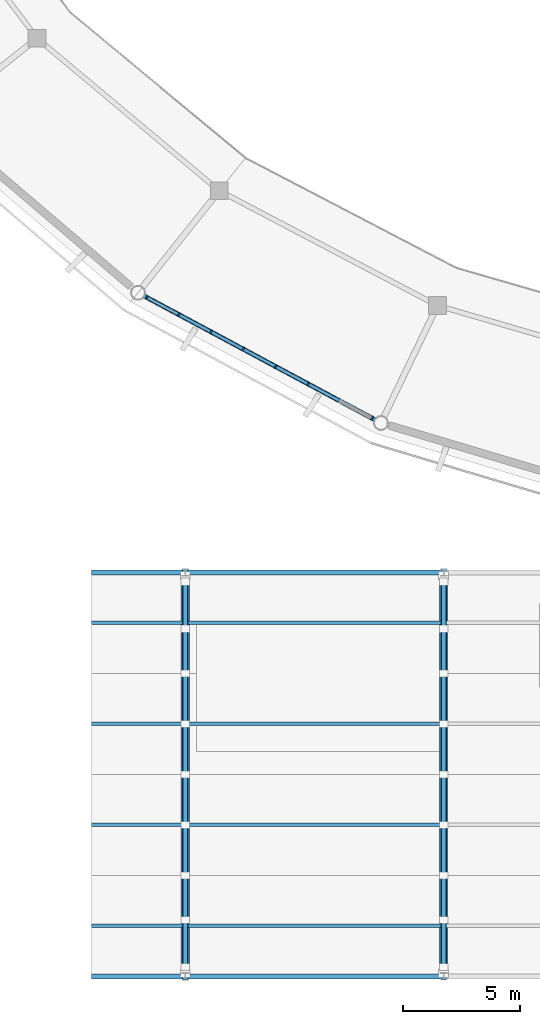
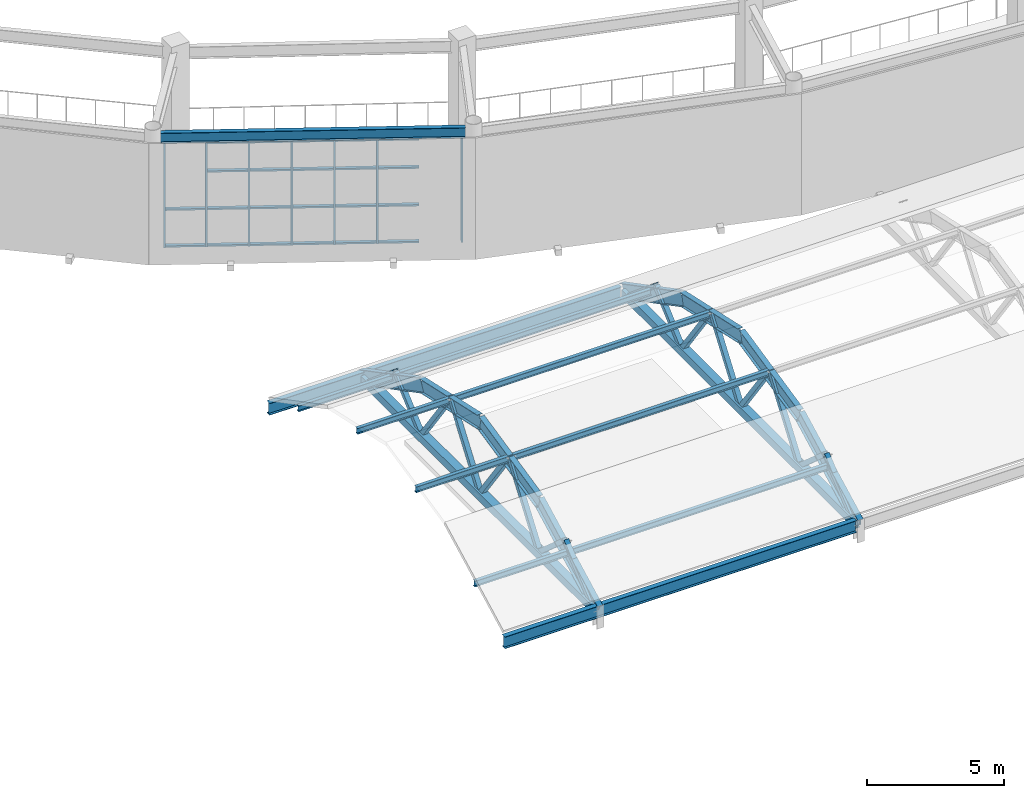
# One storey, part 12 of 70: 51 members, 11 beams, 1 element without a shape of its own.
"""IFC4 building model written with IfcOpenShell, lengths in metres."""

from ifc_helpers import new_model, si_unit, direction, frame, origin, origin_2d, place, context, subcontext, project, spatial, rectangle, hollow_rectangle, i_section, extrude, material, material_profile, profile_set, type_object, element, aggregate, save


model = new_model("IFC4")

# Units and contexts
model_context = context("Model", 3, precision=1e-05, world=origin(), true_north=direction((0.0, 1.0)))
body_context = subcontext(model_context, "Body", "Model", "MODEL_VIEW")
ifc_project = project(units=[si_unit("LENGTHUNIT", "METRE"), si_unit("AREAUNIT", "SQUARE_METRE"), si_unit("VOLUMEUNIT", "CUBIC_METRE"), si_unit("PLANEANGLEUNIT", "RADIAN"), si_unit("MASSUNIT", "GRAM", prefix="KILO")], contexts=[model_context])

# Site, building, storey
site_placement = place(None, origin())
site = spatial("IfcSite", under=ifc_project, at=site_placement, CompositionType="ELEMENT")
building_placement = place(site_placement, origin())
building = spatial("IfcBuilding", under=site, at=building_placement, Name="Cuetzalor Civic Arena", CompositionType="ELEMENT")
storey_placement = place(building_placement, frame((0.0, 0.0, 21.0)))
storey = spatial("IfcBuildingStorey", under=building, at=storey_placement, Name="L04", CompositionType="ELEMENT", Elevation=21.0)

# Curtain wall, members
ifc_material_1 = material(Name="Anodised dark bronze aluminium and low-E solar glass", Category="aluminium")
curtain_wall_type = type_object("IfcCurtainWallType", Name="UnitisedCW_10950x4650", PredefinedType="USERDEFINED", material=ifc_material_1)
curtain_wall_placement = place(storey_placement, origin())
curtain_wall = element("IfcCurtainWall", 1, at=curtain_wall_placement, inside=storey, type_object=curtain_wall_type, Name="Drum Triangle Foyer Curtain Wall L04-064", ObjectType="UNITISED CURTAIN WALL", PredefinedType="USERDEFINED")
ifc_material_2 = material(Name="Anodised dark bronze aluminium", Category="aluminium")
ifc_material_profile_1 = material_profile(ifc_material_2, rectangle(XDim=0.070068359375, YDim=0.179931640625, at=origin_2d()), Name="ALU MULLION 70x180")
ifc_profile_set_1 = profile_set([ifc_material_profile_1], Name="Anodised dark bronze aluminium")
member_type_1 = type_object("IfcMemberType", Name="CurtainWallMullion_65x180", PredefinedType="MULLION", material=ifc_profile_set_1)
member_1_placement = place(storey_placement, frame((-24.04736328125, -41.737060546875, 0.0), z_axis=(0.0, 0.0, 1.0), x_axis=(-0.881306344124, 0.472545371163, 0.0)))
member_1 = element("IfcMember", 2, at=member_1_placement, type_object=member_type_1, Name="CW-07 mullion 1", PredefinedType="MULLION", context=body_context, shape_type="SweptSolid", body=[
    extrude(rectangle(XDim=0.070068359375, YDim=0.179931640625, at=origin_2d()), origin(), (0.0, 0.0, 1.0), 4.653076171875),
])
member_2_placement = place(storey_placement, frame((-26.772705078125, -40.275634765625, 0.0), z_axis=(0.0, 0.0, 1.0), x_axis=(-0.881306344124, 0.472545371163, 0.0)))
member_2 = element("IfcMember", 3, at=member_2_placement, type_object=member_type_1, Name="CW-07 mullion 3", PredefinedType="MULLION", context=body_context, shape_type="SweptSolid", body=[
    extrude(rectangle(XDim=0.070068359375, YDim=0.179931640625, at=origin_2d()), origin(), (0.0, 0.0, 1.0), 4.653076171875),
])
member_3_placement = place(storey_placement, frame((-28.15087890625, -39.53662109375, 0.0), z_axis=(0.0, 0.0, 1.0), x_axis=(-0.881306344124, 0.472545371163, 0.0)))
member_3 = element("IfcMember", 4, at=member_3_placement, type_object=member_type_1, Name="CW-07 mullion 4", PredefinedType="MULLION", context=body_context, shape_type="SweptSolid", body=[
    extrude(rectangle(XDim=0.070068359375, YDim=0.179931640625, at=origin_2d()), origin(), (0.0, 0.0, 1.0), 4.653076171875),
])
member_4_placement = place(storey_placement, frame((-29.529052734375, -38.797607421875, 0.0), z_axis=(0.0, 0.0, 1.0), x_axis=(-0.881306344124, 0.472545371163, 0.0)))
member_4 = element("IfcMember", 5, at=member_4_placement, type_object=member_type_1, Name="CW-07 mullion 5", PredefinedType="MULLION", context=body_context, shape_type="SweptSolid", body=[
    extrude(rectangle(XDim=0.070068359375, YDim=0.179931640625, at=origin_2d()), origin(), (0.0, 0.0, 1.0), 4.653076171875),
])
member_5_placement = place(storey_placement, frame((-30.9072265625, -38.058837890625, 0.0), z_axis=(0.0, 0.0, 1.0), x_axis=(-0.881306344124, 0.472545371163, 0.0)))
member_5 = element("IfcMember", 6, at=member_5_placement, type_object=member_type_1, Name="CW-07 mullion 6", PredefinedType="MULLION", context=body_context, shape_type="SweptSolid", body=[
    extrude(rectangle(XDim=0.070068359375, YDim=0.179931640625, at=origin_2d()), origin(), (0.0, 0.0, 1.0), 4.653076171875),
])
member_6_placement = place(storey_placement, frame((-32.28515625, -37.31982421875, 0.0), z_axis=(0.0, 0.0, 1.0), x_axis=(-0.881306344124, 0.472545371163, 0.0)))
member_6 = element("IfcMember", 7, at=member_6_placement, type_object=member_type_1, Name="CW-07 mullion 7", PredefinedType="MULLION", context=body_context, shape_type="SweptSolid", body=[
    extrude(rectangle(XDim=0.070068359375, YDim=0.179931640625, at=origin_2d()), origin(), (0.0, 0.0, 1.0), 4.653076171875),
])
member_7_placement = place(storey_placement, frame((-33.632568359375, -36.597412109375, 0.0), z_axis=(0.0, 0.0, 1.0), x_axis=(-0.881306344124, 0.472545371163, 0.0)))
member_7 = element("IfcMember", 8, at=member_7_placement, type_object=member_type_1, Name="CW-07 mullion 8", PredefinedType="MULLION", context=body_context, shape_type="SweptSolid", body=[
    extrude(rectangle(XDim=0.070068359375, YDim=0.179931640625, at=origin_2d()), origin(), (0.0, 0.0, 1.0), 4.653076171875),
])
ifc_material_3 = material(Name="Anodised dark bronze aluminium", Category="aluminium")
ifc_material_profile_2 = material_profile(ifc_material_3, rectangle(XDim=0.139892578125, YDim=0.070068359375, at=origin_2d()), Name="ALU TRANSOM 70x140")
ifc_profile_set_2 = profile_set([ifc_material_profile_2], Name="Anodised dark bronze aluminium")
member_type_2 = type_object("IfcMemberType", Name="CurtainWallTransom_65x140", PredefinedType="USERDEFINED", material=ifc_profile_set_2)
member_8_placement = place(storey_placement, frame((-25.42529296875, -40.998046875, 0.034912109375), z_axis=(-0.881351173238, 0.472461754465, 0.0), x_axis=(-0.472461754465, -0.881351173238, 0.0)))
member_8 = element("IfcMember", 9, at=member_8_placement, type_object=member_type_2, Name="CW-07 transom 2.1", ObjectType="TRANSOM", PredefinedType="USERDEFINED", context=body_context, shape_type="SweptSolid", body=[
    extrude(rectangle(XDim=0.139892578125, YDim=0.070068359375, at=origin_2d()), origin(), (0.0, 0.0, 1.0), 1.493896484375),
])
member_9_placement = place(storey_placement, frame((-25.42529296875, -40.998046875, 1.675048828125), z_axis=(-0.881351173238, 0.472461754465, 0.0), x_axis=(-0.472461754465, -0.881351173238, 0.0)))
member_9 = element("IfcMember", 10, at=member_9_placement, type_object=member_type_2, Name="CW-07 transom 2.2", ObjectType="TRANSOM", PredefinedType="USERDEFINED", context=body_context, shape_type="SweptSolid", body=[
    extrude(rectangle(XDim=0.139892578125, YDim=0.070068359375, at=origin_2d()), origin(), (0.0, 0.0, 1.0), 1.493896484375),
])
member_10_placement = place(storey_placement, frame((-25.42529296875, -40.998046875, 3.35009765625), z_axis=(-0.881351173238, 0.472461754465, 0.0), x_axis=(-0.472461754465, -0.881351173238, 0.0)))
member_10 = element("IfcMember", 11, at=member_10_placement, type_object=member_type_2, Name="CW-07 transom 2.3", ObjectType="TRANSOM", PredefinedType="USERDEFINED", context=body_context, shape_type="SweptSolid", body=[
    extrude(rectangle(XDim=0.139892578125, YDim=0.070068359375, at=origin_2d()), origin(), (0.0, 0.0, 1.0), 1.493896484375),
])
member_11_placement = place(storey_placement, frame((-25.42529296875, -40.998046875, 4.617919921875), z_axis=(-0.881351173238, 0.472461754465, 0.0), x_axis=(-0.472461754465, -0.881351173238, 0.0)))
member_11 = element("IfcMember", 12, at=member_11_placement, type_object=member_type_2, Name="CW-07 transom 2.4", ObjectType="TRANSOM", PredefinedType="USERDEFINED", context=body_context, shape_type="SweptSolid", body=[
    extrude(rectangle(XDim=0.139892578125, YDim=0.070068359375, at=origin_2d()), origin(), (0.0, 0.0, 1.0), 1.493896484375),
])
member_12_placement = place(storey_placement, frame((-26.803466796875, -40.259033203125, 0.034912109375), z_axis=(-0.881314685602, 0.472529813812, 0.0), x_axis=(-0.472529813812, -0.881314685602, 0.0)))
member_12 = element("IfcMember", 13, at=member_12_placement, type_object=member_type_2, Name="CW-07 transom 3.1", ObjectType="TRANSOM", PredefinedType="USERDEFINED", context=body_context, shape_type="SweptSolid", body=[
    extrude(rectangle(XDim=0.139892578125, YDim=0.070068359375, at=origin_2d()), origin(), (0.0, 0.0, 1.0), 1.49365234375),
])
member_13_placement = place(storey_placement, frame((-26.803466796875, -40.259033203125, 1.675048828125), z_axis=(-0.881314685602, 0.472529813812, 0.0), x_axis=(-0.472529813812, -0.881314685602, 0.0)))
member_13 = element("IfcMember", 14, at=member_13_placement, type_object=member_type_2, Name="CW-07 transom 3.2", ObjectType="TRANSOM", PredefinedType="USERDEFINED", context=body_context, shape_type="SweptSolid", body=[
    extrude(rectangle(XDim=0.139892578125, YDim=0.070068359375, at=origin_2d()), origin(), (0.0, 0.0, 1.0), 1.49365234375),
])
member_14_placement = place(storey_placement, frame((-26.803466796875, -40.259033203125, 3.35009765625), z_axis=(-0.881314685602, 0.472529813812, 0.0), x_axis=(-0.472529813812, -0.881314685602, 0.0)))
member_14 = element("IfcMember", 15, at=member_14_placement, type_object=member_type_2, Name="CW-07 transom 3.3", ObjectType="TRANSOM", PredefinedType="USERDEFINED", context=body_context, shape_type="SweptSolid", body=[
    extrude(rectangle(XDim=0.139892578125, YDim=0.070068359375, at=origin_2d()), origin(), (0.0, 0.0, 1.0), 1.49365234375),
])
member_15_placement = place(storey_placement, frame((-26.803466796875, -40.259033203125, 4.617919921875), z_axis=(-0.881314685602, 0.472529813812, 0.0), x_axis=(-0.472529813812, -0.881314685602, 0.0)))
member_15 = element("IfcMember", 16, at=member_15_placement, type_object=member_type_2, Name="CW-07 transom 3.4", ObjectType="TRANSOM", PredefinedType="USERDEFINED", context=body_context, shape_type="SweptSolid", body=[
    extrude(rectangle(XDim=0.139892578125, YDim=0.070068359375, at=origin_2d()), origin(), (0.0, 0.0, 1.0), 1.49365234375),
])
member_16_placement = place(storey_placement, frame((-28.181640625, -39.52001953125, 0.034912109375), z_axis=(-0.881314685602, 0.472529813812, 0.0), x_axis=(-0.472529813812, -0.881314685602, 0.0)))
member_16 = element("IfcMember", 17, at=member_16_placement, type_object=member_type_2, Name="CW-07 transom 4.1", ObjectType="TRANSOM", PredefinedType="USERDEFINED", context=body_context, shape_type="SweptSolid", body=[
    extrude(rectangle(XDim=0.139892578125, YDim=0.070068359375, at=origin_2d()), origin(), (0.0, 0.0, 1.0), 1.49365234375),
])
member_17_placement = place(storey_placement, frame((-28.181640625, -39.52001953125, 1.675048828125), z_axis=(-0.881314685602, 0.472529813812, 0.0), x_axis=(-0.472529813812, -0.881314685602, 0.0)))
member_17 = element("IfcMember", 18, at=member_17_placement, type_object=member_type_2, Name="CW-07 transom 4.2", ObjectType="TRANSOM", PredefinedType="USERDEFINED", context=body_context, shape_type="SweptSolid", body=[
    extrude(rectangle(XDim=0.139892578125, YDim=0.070068359375, at=origin_2d()), origin(), (0.0, 0.0, 1.0), 1.49365234375),
])
member_18_placement = place(storey_placement, frame((-28.181640625, -39.52001953125, 3.35009765625), z_axis=(-0.881314685602, 0.472529813812, 0.0), x_axis=(-0.472529813812, -0.881314685602, 0.0)))
member_18 = element("IfcMember", 19, at=member_18_placement, type_object=member_type_2, Name="CW-07 transom 4.3", ObjectType="TRANSOM", PredefinedType="USERDEFINED", context=body_context, shape_type="SweptSolid", body=[
    extrude(rectangle(XDim=0.139892578125, YDim=0.070068359375, at=origin_2d()), origin(), (0.0, 0.0, 1.0), 1.49365234375),
])
member_19_placement = place(storey_placement, frame((-28.181640625, -39.52001953125, 4.617919921875), z_axis=(-0.881314685602, 0.472529813812, 0.0), x_axis=(-0.472529813812, -0.881314685602, 0.0)))
member_19 = element("IfcMember", 20, at=member_19_placement, type_object=member_type_2, Name="CW-07 transom 4.4", ObjectType="TRANSOM", PredefinedType="USERDEFINED", context=body_context, shape_type="SweptSolid", body=[
    extrude(rectangle(XDim=0.139892578125, YDim=0.070068359375, at=origin_2d()), origin(), (0.0, 0.0, 1.0), 1.49365234375),
])
member_20_placement = place(storey_placement, frame((-29.559814453125, -38.78125, 0.034912109375), z_axis=(-0.881314685602, 0.472529813812, 0.0), x_axis=(-0.472529813812, -0.881314685602, 0.0)))
member_20 = element("IfcMember", 21, at=member_20_placement, type_object=member_type_2, Name="CW-07 transom 5.1", ObjectType="TRANSOM", PredefinedType="USERDEFINED", context=body_context, shape_type="SweptSolid", body=[
    extrude(rectangle(XDim=0.139892578125, YDim=0.070068359375, at=origin_2d()), origin(), (0.0, 0.0, 1.0), 1.49365234375),
])
member_21_placement = place(storey_placement, frame((-29.559814453125, -38.78125, 1.675048828125), z_axis=(-0.881314685602, 0.472529813812, 0.0), x_axis=(-0.472529813812, -0.881314685602, 0.0)))
member_21 = element("IfcMember", 22, at=member_21_placement, type_object=member_type_2, Name="CW-07 transom 5.2", ObjectType="TRANSOM", PredefinedType="USERDEFINED", context=body_context, shape_type="SweptSolid", body=[
    extrude(rectangle(XDim=0.139892578125, YDim=0.070068359375, at=origin_2d()), origin(), (0.0, 0.0, 1.0), 1.49365234375),
])
member_22_placement = place(storey_placement, frame((-29.559814453125, -38.78125, 3.35009765625), z_axis=(-0.881314685602, 0.472529813812, 0.0), x_axis=(-0.472529813812, -0.881314685602, 0.0)))
member_22 = element("IfcMember", 23, at=member_22_placement, type_object=member_type_2, Name="CW-07 transom 5.3", ObjectType="TRANSOM", PredefinedType="USERDEFINED", context=body_context, shape_type="SweptSolid", body=[
    extrude(rectangle(XDim=0.139892578125, YDim=0.070068359375, at=origin_2d()), origin(), (0.0, 0.0, 1.0), 1.49365234375),
])
member_23_placement = place(storey_placement, frame((-29.559814453125, -38.78125, 4.617919921875), z_axis=(-0.881314685602, 0.472529813812, 0.0), x_axis=(-0.472529813812, -0.881314685602, 0.0)))
member_23 = element("IfcMember", 24, at=member_23_placement, type_object=member_type_2, Name="CW-07 transom 5.4", ObjectType="TRANSOM", PredefinedType="USERDEFINED", context=body_context, shape_type="SweptSolid", body=[
    extrude(rectangle(XDim=0.139892578125, YDim=0.070068359375, at=origin_2d()), origin(), (0.0, 0.0, 1.0), 1.49365234375),
])
member_24_placement = place(storey_placement, frame((-30.93798828125, -38.042236328125, 0.034912109375), z_axis=(-0.881314685602, 0.472529813812, 0.0), x_axis=(-0.472529813812, -0.881314685602, 0.0)))
member_24 = element("IfcMember", 25, at=member_24_placement, type_object=member_type_2, Name="CW-07 transom 6.1", ObjectType="TRANSOM", PredefinedType="USERDEFINED", context=body_context, shape_type="SweptSolid", body=[
    extrude(rectangle(XDim=0.139892578125, YDim=0.070068359375, at=origin_2d()), origin(), (0.0, 0.0, 1.0), 1.49365234375),
])
member_25_placement = place(storey_placement, frame((-30.93798828125, -38.042236328125, 1.675048828125), z_axis=(-0.881314685602, 0.472529813812, 0.0), x_axis=(-0.472529813812, -0.881314685602, 0.0)))
member_25 = element("IfcMember", 26, at=member_25_placement, type_object=member_type_2, Name="CW-07 transom 6.2", ObjectType="TRANSOM", PredefinedType="USERDEFINED", context=body_context, shape_type="SweptSolid", body=[
    extrude(rectangle(XDim=0.139892578125, YDim=0.070068359375, at=origin_2d()), origin(), (0.0, 0.0, 1.0), 1.49365234375),
])
member_26_placement = place(storey_placement, frame((-30.93798828125, -38.042236328125, 3.35009765625), z_axis=(-0.881314685602, 0.472529813812, 0.0), x_axis=(-0.472529813812, -0.881314685602, 0.0)))
member_26 = element("IfcMember", 27, at=member_26_placement, type_object=member_type_2, Name="CW-07 transom 6.3", ObjectType="TRANSOM", PredefinedType="USERDEFINED", context=body_context, shape_type="SweptSolid", body=[
    extrude(rectangle(XDim=0.139892578125, YDim=0.070068359375, at=origin_2d()), origin(), (0.0, 0.0, 1.0), 1.49365234375),
])
member_27_placement = place(storey_placement, frame((-30.93798828125, -38.042236328125, 4.617919921875), z_axis=(-0.881314685602, 0.472529813812, 0.0), x_axis=(-0.472529813812, -0.881314685602, 0.0)))
member_27 = element("IfcMember", 28, at=member_27_placement, type_object=member_type_2, Name="CW-07 transom 6.4", ObjectType="TRANSOM", PredefinedType="USERDEFINED", context=body_context, shape_type="SweptSolid", body=[
    extrude(rectangle(XDim=0.139892578125, YDim=0.070068359375, at=origin_2d()), origin(), (0.0, 0.0, 1.0), 1.49365234375),
])
member_28_placement = place(storey_placement, frame((-32.316162109375, -37.30322265625, 0.034912109375), z_axis=(-0.881345577681, 0.472472192517, 0.0), x_axis=(-0.472472192517, -0.881345577681, 0.0)))
member_28 = element("IfcMember", 29, at=member_28_placement, type_object=member_type_2, Name="CW-07 transom 7.1", ObjectType="TRANSOM", PredefinedType="USERDEFINED", context=body_context, shape_type="SweptSolid", body=[
    extrude(rectangle(XDim=0.139892578125, YDim=0.070068359375, at=origin_2d()), origin(), (0.0, 0.0, 1.0), 1.458740234375),
])
member_29_placement = place(storey_placement, frame((-32.316162109375, -37.30322265625, 1.675048828125), z_axis=(-0.881345577681, 0.472472192517, 0.0), x_axis=(-0.472472192517, -0.881345577681, 0.0)))
member_29 = element("IfcMember", 30, at=member_29_placement, type_object=member_type_2, Name="CW-07 transom 7.2", ObjectType="TRANSOM", PredefinedType="USERDEFINED", context=body_context, shape_type="SweptSolid", body=[
    extrude(rectangle(XDim=0.139892578125, YDim=0.070068359375, at=origin_2d()), origin(), (0.0, 0.0, 1.0), 1.458740234375),
])
aggregate(curtain_wall, [member_1, member_2, member_3, member_4, member_5, member_6, member_7, member_8, member_9, member_10, member_11, member_12, member_13, member_14, member_15, member_16, member_17, member_18, member_19, member_20, member_21, member_22, member_23, member_24, member_25, member_26, member_27, member_28, member_29])

# Beam
ifc_material_4 = material(Name="Steel S355", Category="steel")
ifc_material_profile_3 = material_profile(ifc_material_4, i_section(OverallWidth=0.18994140625, OverallDepth=0.45703125, WebThickness=0.009033203125, FlangeThickness=0.014404296875, at=origin_2d()), Name="W460x74")
ifc_profile_set_3 = profile_set([ifc_material_profile_3], Name="Steel S355")
beam_type_1 = type_object("IfcBeamType", Name="FacadeSpandrelBeam_W460", PredefinedType="SPANDREL", material=ifc_profile_set_3)
beam_1_placement = place(storey_placement, frame((-33.755859375, -36.53125, 4.8916015625), z_axis=(0.881304552514, -0.472548712534, 0.0), x_axis=(0.472548712534, 0.881304552514, 0.0)))
element("IfcBeam", 31, at=beam_1_placement, inside=storey, type_object=beam_type_1, Name="Drum Perimeter Spandrel L04-S19", PredefinedType="SPANDREL", context=body_context, shape_type="SweptSolid", body=[
    extrude(i_section(OverallWidth=0.18994140625, OverallDepth=0.45703125, WebThickness=0.009033203125, FlangeThickness=0.014404296875, at=origin_2d()), origin(), (0.0, 0.0, 1.0), 11.156005859375),
])

# Members
ifc_material_5 = material(Name="Steel S355", Category="steel")
ifc_material_profile_4 = material_profile(ifc_material_5, hollow_rectangle(XDim=0.35009765625, YDim=0.35009765625, WallThickness=0.01611328125, at=origin_2d()), Name="RHS 350x350x16")
ifc_profile_set_4 = profile_set([ifc_material_profile_4], Name="Steel S355")
member_type_3 = type_object("IfcMemberType", Name="PrattTrussChord_RHS350", PredefinedType="CHORD", material=ifc_profile_set_4)
for number, where, z_axis, x_axis, name in (
    (32, (-32.0, -65.360107421875, 0.714111328125), (0.0, 1.0, 0.0), (-1.0, 0.0, 0.0), "Foyer Barrel Vault Tied-Arch Chord 01"),
    (33, (-21.0, -65.360107421875, 0.714111328125), (0.0, 1.0, 0.0), (-1.0, 0.0, 0.0), "Foyer Barrel Vault Tied-Arch Chord 02"),
):
    element("IfcMember", number, at=place(storey_placement, frame(where, z_axis=z_axis, x_axis=x_axis)), inside=storey, type_object=member_type_3, Name=name, PredefinedType="CHORD", context=body_context, shape_type="SweptSolid", body=[
        extrude(hollow_rectangle(XDim=0.35009765625, YDim=0.35009765625, WallThickness=0.01611328125, at=origin_2d()), origin(), (0.0, 0.0, 1.0), 16.920166015625),
    ])
ifc_material_6 = material(Name="Steel S355", Category="steel")
ifc_material_profile_5 = material_profile(ifc_material_6, hollow_rectangle(XDim=0.199951171875, YDim=0.199951171875, WallThickness=0.010009765625, at=origin_2d()), Name="RHS 200x200x10")
ifc_profile_set_5 = profile_set([ifc_material_profile_5], Name="Steel S355")
member_type_4 = type_object("IfcMemberType", Name="PrattTrussWeb_RHS200", PredefinedType="STRUT", material=ifc_profile_set_5)
member_30_placement = place(storey_placement, frame((-32.0, -65.10009765625, 0.714111328125), z_axis=(0.0, 0.766684820047, 0.642023665225), x_axis=(-1.0, 0.0, 0.0)))
element("IfcMember", 34, at=member_30_placement, inside=storey, type_object=member_type_4, Name="Foyer Tied-Arch Truss Web 01-1", PredefinedType="STRUT", context=body_context, shape_type="SweptSolid", body=[
    extrude(hollow_rectangle(XDim=0.199951171875, YDim=0.199951171875, WallThickness=0.010009765625, at=origin_2d()), origin(), (0.0, 0.0, 1.0), 2.608642578125),
])
member_31_placement = place(storey_placement, frame((-32.0, -63.10009765625, 2.388916015625), z_axis=(0.0, 0.75018936013, -0.661223051586), x_axis=(-1.0, 0.0, 0.0)))
element("IfcMember", 35, at=member_31_placement, inside=storey, type_object=member_type_4, Name="Foyer Tied-Arch Truss Web 01-2", PredefinedType="STRUT", context=body_context, shape_type="SweptSolid", body=[
    extrude(hollow_rectangle(XDim=0.199951171875, YDim=0.199951171875, WallThickness=0.010009765625, at=origin_2d()), origin(), (0.0, 0.0, 1.0), 2.532958984375),
])
member_32_placement = place(storey_placement, frame((-32.0, -61.199951171875, 0.714111328125), z_axis=(0.0, 0.585740669637, 0.810498530494), x_axis=(-1.0, 0.0, 0.0)))
element("IfcMember", 36, at=member_32_placement, inside=storey, type_object=member_type_4, Name="Foyer Tied-Arch Truss Web 01-3", PredefinedType="STRUT", context=body_context, shape_type="SweptSolid", body=[
    extrude(hollow_rectangle(XDim=0.199951171875, YDim=0.199951171875, WallThickness=0.010009765625, at=origin_2d()), origin(), (0.0, 0.0, 1.0), 3.67041015625),
])
member_33_placement = place(storey_placement, frame((-32.0, -59.050048828125, 3.68896484375), z_axis=(0.0, 0.585784362025, -0.810466952569), x_axis=(-1.0, 0.0, 0.0)))
element("IfcMember", 37, at=member_33_placement, inside=storey, type_object=member_type_4, Name="Foyer Tied-Arch Truss Web 01-4", PredefinedType="STRUT", context=body_context, shape_type="SweptSolid", body=[
    extrude(hollow_rectangle(XDim=0.199951171875, YDim=0.199951171875, WallThickness=0.010009765625, at=origin_2d()), origin(), (0.0, 0.0, 1.0), 3.670654296875),
])
for number, where, z_axis, x_axis, name in (
    (38, (-32.0, -56.89990234375, 0.714111328125), (0.0, 0.585740669637, 0.810498530494), (-1.0, 0.0, 0.0), "Foyer Tied-Arch Truss Web 01-5"),
    (39, (-32.0, -54.75, 3.68896484375), (0.0, 0.585740669637, -0.810498530494), (-1.0, 0.0, 0.0), "Foyer Tied-Arch Truss Web 01-6"),
):
    element("IfcMember", number, at=place(storey_placement, frame(where, z_axis=z_axis, x_axis=x_axis)), inside=storey, type_object=member_type_4, Name=name, PredefinedType="STRUT", context=body_context, shape_type="SweptSolid", body=[
        extrude(hollow_rectangle(XDim=0.199951171875, YDim=0.199951171875, WallThickness=0.010009765625, at=origin_2d()), origin(), (0.0, 0.0, 1.0), 3.67041015625),
    ])
member_34_placement = place(storey_placement, frame((-32.0, -52.60009765625, 0.714111328125), z_axis=(0.0, 0.75018936013, 0.661223051586), x_axis=(-1.0, 0.0, 0.0)))
element("IfcMember", 40, at=member_34_placement, inside=storey, type_object=member_type_4, Name="Foyer Tied-Arch Truss Web 01-7", PredefinedType="STRUT", context=body_context, shape_type="SweptSolid", body=[
    extrude(hollow_rectangle(XDim=0.199951171875, YDim=0.199951171875, WallThickness=0.010009765625, at=origin_2d()), origin(), (0.0, 0.0, 1.0), 2.532958984375),
])
for number, where, z_axis, x_axis, name in (
    (41, (-32.0, -50.699951171875, 2.388916015625), (0.0, 0.766684820047, -0.642023665225), (-1.0, 0.0, 0.0), "Foyer Tied-Arch Truss Web 01-8"),
    (42, (-21.0, -65.10009765625, 0.714111328125), (0.0, 0.766684820047, 0.642023665225), (-1.0, 0.0, 0.0), "Foyer Tied-Arch Truss Web 02-1"),
):
    element("IfcMember", number, at=place(storey_placement, frame(where, z_axis=z_axis, x_axis=x_axis)), inside=storey, type_object=member_type_4, Name=name, PredefinedType="STRUT", context=body_context, shape_type="SweptSolid", body=[
        extrude(hollow_rectangle(XDim=0.199951171875, YDim=0.199951171875, WallThickness=0.010009765625, at=origin_2d()), origin(), (0.0, 0.0, 1.0), 2.608642578125),
    ])
member_35_placement = place(storey_placement, frame((-21.0, -63.10009765625, 2.388916015625), z_axis=(0.0, 0.75018936013, -0.661223051586), x_axis=(-1.0, 0.0, 0.0)))
element("IfcMember", 43, at=member_35_placement, inside=storey, type_object=member_type_4, Name="Foyer Tied-Arch Truss Web 02-2", PredefinedType="STRUT", context=body_context, shape_type="SweptSolid", body=[
    extrude(hollow_rectangle(XDim=0.199951171875, YDim=0.199951171875, WallThickness=0.010009765625, at=origin_2d()), origin(), (0.0, 0.0, 1.0), 2.532958984375),
])
member_36_placement = place(storey_placement, frame((-21.0, -61.199951171875, 0.714111328125), z_axis=(0.0, 0.585740669637, 0.810498530494), x_axis=(-1.0, 0.0, 0.0)))
element("IfcMember", 44, at=member_36_placement, inside=storey, type_object=member_type_4, Name="Foyer Tied-Arch Truss Web 02-3", PredefinedType="STRUT", context=body_context, shape_type="SweptSolid", body=[
    extrude(hollow_rectangle(XDim=0.199951171875, YDim=0.199951171875, WallThickness=0.010009765625, at=origin_2d()), origin(), (0.0, 0.0, 1.0), 3.67041015625),
])
member_37_placement = place(storey_placement, frame((-21.0, -59.050048828125, 3.68896484375), z_axis=(0.0, 0.585784362025, -0.810466952569), x_axis=(-1.0, 0.0, 0.0)))
element("IfcMember", 45, at=member_37_placement, inside=storey, type_object=member_type_4, Name="Foyer Tied-Arch Truss Web 02-4", PredefinedType="STRUT", context=body_context, shape_type="SweptSolid", body=[
    extrude(hollow_rectangle(XDim=0.199951171875, YDim=0.199951171875, WallThickness=0.010009765625, at=origin_2d()), origin(), (0.0, 0.0, 1.0), 3.670654296875),
])
for number, where, z_axis, x_axis, name in (
    (46, (-21.0, -56.89990234375, 0.714111328125), (0.0, 0.585740669637, 0.810498530494), (-1.0, 0.0, 0.0), "Foyer Tied-Arch Truss Web 02-5"),
    (47, (-21.0, -54.75, 3.68896484375), (0.0, 0.585740669637, -0.810498530494), (-1.0, 0.0, 0.0), "Foyer Tied-Arch Truss Web 02-6"),
):
    element("IfcMember", number, at=place(storey_placement, frame(where, z_axis=z_axis, x_axis=x_axis)), inside=storey, type_object=member_type_4, Name=name, PredefinedType="STRUT", context=body_context, shape_type="SweptSolid", body=[
        extrude(hollow_rectangle(XDim=0.199951171875, YDim=0.199951171875, WallThickness=0.010009765625, at=origin_2d()), origin(), (0.0, 0.0, 1.0), 3.67041015625),
    ])
member_38_placement = place(storey_placement, frame((-21.0, -52.60009765625, 0.714111328125), z_axis=(0.0, 0.75018936013, 0.661223051586), x_axis=(-1.0, 0.0, 0.0)))
element("IfcMember", 48, at=member_38_placement, inside=storey, type_object=member_type_4, Name="Foyer Tied-Arch Truss Web 02-7", PredefinedType="STRUT", context=body_context, shape_type="SweptSolid", body=[
    extrude(hollow_rectangle(XDim=0.199951171875, YDim=0.199951171875, WallThickness=0.010009765625, at=origin_2d()), origin(), (0.0, 0.0, 1.0), 2.532958984375),
])
member_39_placement = place(storey_placement, frame((-21.0, -50.699951171875, 2.388916015625), z_axis=(0.0, 0.766684820047, -0.642023665225), x_axis=(-1.0, 0.0, 0.0)))
element("IfcMember", 49, at=member_39_placement, inside=storey, type_object=member_type_4, Name="Foyer Tied-Arch Truss Web 02-8", PredefinedType="STRUT", context=body_context, shape_type="SweptSolid", body=[
    extrude(hollow_rectangle(XDim=0.199951171875, YDim=0.199951171875, WallThickness=0.010009765625, at=origin_2d()), origin(), (0.0, 0.0, 1.0), 2.608642578125),
])
ifc_material_7 = material(Name="Steel S355", Category="steel")
ifc_material_profile_6 = material_profile(ifc_material_7, i_section(OverallWidth=0.14697265625, OverallDepth=0.261962890625, WebThickness=0.00634765625, FlangeThickness=0.01123046875, at=origin_2d()), Name="W250x39")
ifc_profile_set_6 = profile_set([ifc_material_profile_6], Name="Steel S355")
member_type_5 = type_object("IfcMemberType", Name="RoofDeckPurlin_W250", PredefinedType="PURLIN", material=ifc_profile_set_6)
for number, where, z_axis, x_axis, name in (
    (50, (-36.0, -63.35009765625, 2.013916015625), (1.0, 0.0, 0.0), (0.0, 1.0, 0.0), "Foyer Vault Roof Purlin 1-1"),
    (51, (-36.0, -59.050048828125, 3.614013671875), (1.0, 0.0, 0.0), (0.0, 1.0, 0.0), "Foyer Vault Roof Purlin 2-1"),
    (52, (-36.0, -54.75, 3.614013671875), (1.0, 0.0, 0.0), (0.0, 1.0, 0.0), "Foyer Vault Roof Purlin 3-1"),
    (53, (-36.0, -50.449951171875, 2.013916015625), (1.0, 0.0, 0.0), (0.0, 1.0, 0.0), "Foyer Vault Roof Purlin 4-1"),
):
    element("IfcMember", number, at=place(storey_placement, frame(where, z_axis=z_axis, x_axis=x_axis)), inside=storey, type_object=member_type_5, Name=name, PredefinedType="PURLIN", context=body_context, shape_type="SweptSolid", body=[
        extrude(i_section(OverallWidth=0.14697265625, OverallDepth=0.261962890625, WebThickness=0.00634765625, FlangeThickness=0.01123046875, at=origin_2d()), origin(), (0.0, 0.0, 1.0), 14.89990234375),
    ])

# Beams
ifc_material_8 = material(Name="Steel S355", Category="steel")
ifc_material_profile_7 = material_profile(ifc_material_8, i_section(OverallWidth=0.208984375, OverallDepth=0.532958984375, WebThickness=0.01025390625, FlangeThickness=0.015625, at=origin_2d()), Name="W530x92")
ifc_profile_set_7 = profile_set([ifc_material_profile_7], Name="Steel S355")
beam_type_2 = type_object("IfcBeamType", Name="SteelCollarGirder_W530", PredefinedType="BEAM", material=ifc_profile_set_7)
for number, where, z_axis, x_axis, name in (
    (54, (-36.0, -65.5, 0.714111328125), (1.0, 0.0, 0.0), (0.0, 1.0, 0.0), "Foyer Vault Eaves Ring Beam S-01"),
    (55, (-36.0, -48.300048828125, 0.714111328125), (1.0, 0.0, 0.0), (0.0, 1.0, 0.0), "Foyer Vault Eaves Ring Beam N-01"),
):
    element("IfcBeam", number, at=place(storey_placement, frame(where, z_axis=z_axis, x_axis=x_axis)), inside=storey, type_object=beam_type_2, Name=name, PredefinedType="BEAM", context=body_context, shape_type="SweptSolid", body=[
        extrude(i_section(OverallWidth=0.208984375, OverallDepth=0.532958984375, WebThickness=0.01025390625, FlangeThickness=0.015625, at=origin_2d()), origin(), (0.0, 0.0, 1.0), 14.860107421875),
    ])
ifc_material_9 = material(Name="Steel S355", Category="steel")
ifc_material_profile_8 = material_profile(ifc_material_9, i_section(OverallWidth=0.22802734375, OverallDepth=0.60791015625, WebThickness=0.01123046875, FlangeThickness=0.017333984375, at=origin_2d()), Name="W610x113")
ifc_profile_set_8 = profile_set([ifc_material_profile_8], Name="Steel S355")
beam_type_3 = type_object("IfcBeamType", Name="VaultArchRibBeam_W610", PredefinedType="USERDEFINED", material=ifc_profile_set_8)
beam_2_placement = place(storey_placement, frame((-32.0, -65.5, 0.714111328125), z_axis=(0.0, 0.88603526869, 0.463617841154), x_axis=(-1.0, 0.0, 0.0)))
element("IfcBeam", 56, at=beam_2_placement, inside=storey, type_object=beam_type_3, Name="Foyer Barrel Vault Arch Rib 01-1", ObjectType="VAULT RIB", PredefinedType="USERDEFINED", context=body_context, shape_type="SweptSolid", body=[
    extrude(i_section(OverallWidth=0.22802734375, OverallDepth=0.60791015625, WebThickness=0.01123046875, FlangeThickness=0.017333984375, at=origin_2d()), origin(), (0.0, 0.0, 1.0), 4.85302734375),
])
beam_3_placement = place(storey_placement, frame((-32.0, -61.199951171875, 2.964111328125), z_axis=(0.0, 0.976456327027, 0.215715185855), x_axis=(-1.0, 0.0, 0.0)))
element("IfcBeam", 57, at=beam_3_placement, inside=storey, type_object=beam_type_3, Name="Foyer Barrel Vault Arch Rib 01-2", ObjectType="VAULT RIB", PredefinedType="USERDEFINED", context=body_context, shape_type="SweptSolid", body=[
    extrude(i_section(OverallWidth=0.22802734375, OverallDepth=0.60791015625, WebThickness=0.01123046875, FlangeThickness=0.017333984375, at=origin_2d()), origin(), (0.0, 0.0, 1.0), 4.40380859375),
])
beam_4_placement = place(storey_placement, frame((-32.0, -56.89990234375, 3.9140625), z_axis=(0.0, 0.976453747048, -0.215726864057), x_axis=(-1.0, 0.0, 0.0)))
element("IfcBeam", 58, at=beam_4_placement, inside=storey, type_object=beam_type_3, Name="Foyer Barrel Vault Arch Rib 01-3", ObjectType="VAULT RIB", PredefinedType="USERDEFINED", context=body_context, shape_type="SweptSolid", body=[
    extrude(i_section(OverallWidth=0.22802734375, OverallDepth=0.60791015625, WebThickness=0.01123046875, FlangeThickness=0.017333984375, at=origin_2d()), origin(), (0.0, 0.0, 1.0), 4.403564453125),
])
for number, where, z_axis, x_axis, name in (
    (59, (-32.0, -52.60009765625, 2.964111328125), (0.0, 0.88603526869, -0.463617841154), (-1.0, 0.0, 0.0), "Foyer Barrel Vault Arch Rib 01-4"),
    (60, (-21.0, -65.5, 0.714111328125), (0.0, 0.88603526869, 0.463617841154), (-1.0, 0.0, 0.0), "Foyer Barrel Vault Arch Rib 02-1"),
):
    element("IfcBeam", number, at=place(storey_placement, frame(where, z_axis=z_axis, x_axis=x_axis)), inside=storey, type_object=beam_type_3, Name=name, ObjectType="VAULT RIB", PredefinedType="USERDEFINED", context=body_context, shape_type="SweptSolid", body=[
        extrude(i_section(OverallWidth=0.22802734375, OverallDepth=0.60791015625, WebThickness=0.01123046875, FlangeThickness=0.017333984375, at=origin_2d()), origin(), (0.0, 0.0, 1.0), 4.85302734375),
    ])
beam_5_placement = place(storey_placement, frame((-21.0, -61.199951171875, 2.964111328125), z_axis=(0.0, 0.976456327027, 0.215715185855), x_axis=(-1.0, 0.0, 0.0)))
element("IfcBeam", 61, at=beam_5_placement, inside=storey, type_object=beam_type_3, Name="Foyer Barrel Vault Arch Rib 02-2", ObjectType="VAULT RIB", PredefinedType="USERDEFINED", context=body_context, shape_type="SweptSolid", body=[
    extrude(i_section(OverallWidth=0.22802734375, OverallDepth=0.60791015625, WebThickness=0.01123046875, FlangeThickness=0.017333984375, at=origin_2d()), origin(), (0.0, 0.0, 1.0), 4.40380859375),
])
beam_6_placement = place(storey_placement, frame((-21.0, -56.89990234375, 3.9140625), z_axis=(0.0, 0.976453747048, -0.215726864057), x_axis=(-1.0, 0.0, 0.0)))
element("IfcBeam", 62, at=beam_6_placement, inside=storey, type_object=beam_type_3, Name="Foyer Barrel Vault Arch Rib 02-3", ObjectType="VAULT RIB", PredefinedType="USERDEFINED", context=body_context, shape_type="SweptSolid", body=[
    extrude(i_section(OverallWidth=0.22802734375, OverallDepth=0.60791015625, WebThickness=0.01123046875, FlangeThickness=0.017333984375, at=origin_2d()), origin(), (0.0, 0.0, 1.0), 4.403564453125),
])
beam_7_placement = place(storey_placement, frame((-21.0, -52.60009765625, 2.964111328125), z_axis=(0.0, 0.88603526869, -0.463617841154), x_axis=(-1.0, 0.0, 0.0)))
element("IfcBeam", 63, at=beam_7_placement, inside=storey, type_object=beam_type_3, Name="Foyer Barrel Vault Arch Rib 02-4", ObjectType="VAULT RIB", PredefinedType="USERDEFINED", context=body_context, shape_type="SweptSolid", body=[
    extrude(i_section(OverallWidth=0.22802734375, OverallDepth=0.60791015625, WebThickness=0.01123046875, FlangeThickness=0.017333984375, at=origin_2d()), origin(), (0.0, 0.0, 1.0), 4.85302734375),
])

save(model, "model.ifc")
